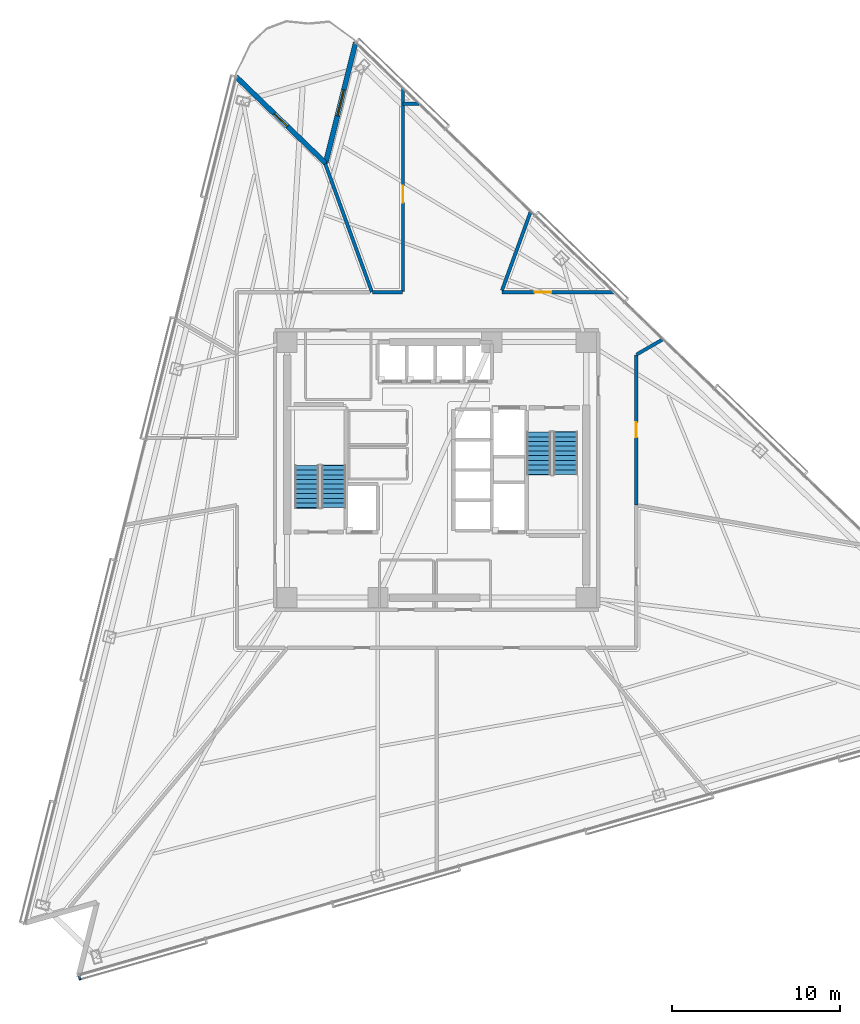
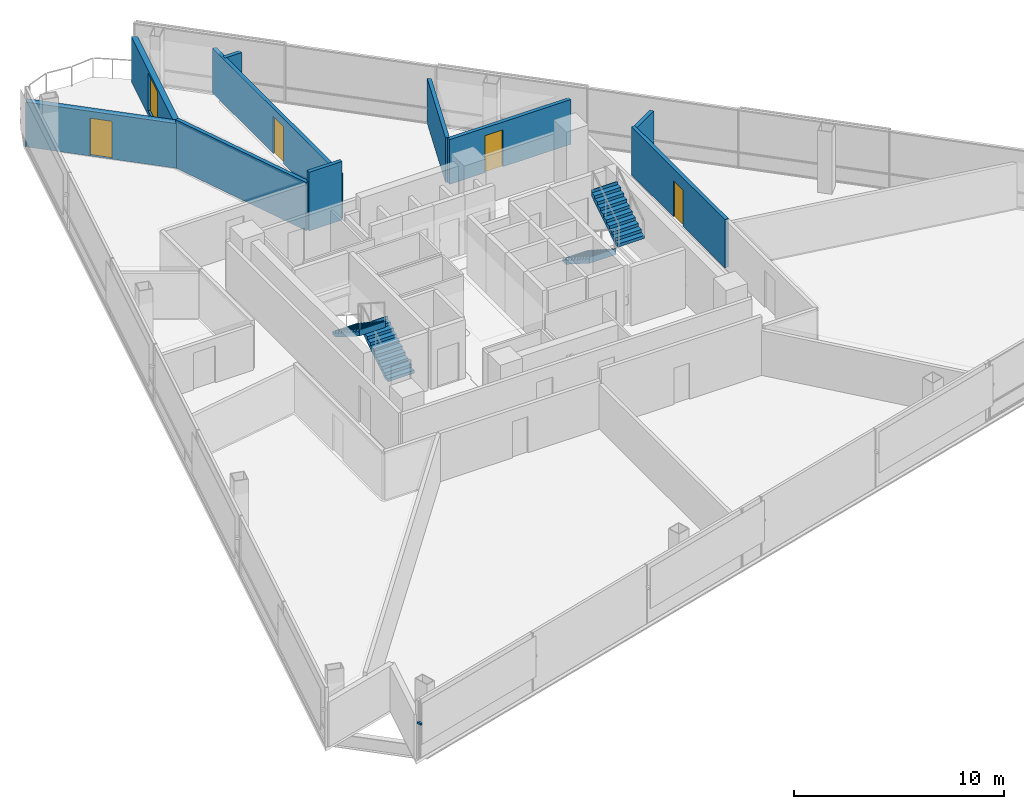
# One storey, part 11 of 19: 10 walls, 4 doors, 4 stair flights, 1 discrete accessory, 1 window, 5 openings, 2 elements without a shape of their own.
"""IFC4 building model written with IfcOpenShell, lengths in metres."""

from ifc_helpers import new_model, si_unit, direction, frame, frame_2d, origin, origin_2d, place, context, subcontext, project, spatial, polyline, rectangle, outline, extrude, material, layer, layer_set, type_object, element, fill, aggregate, save


model = new_model("IFC4")

# Units and contexts
model_context = context("Model", 3, precision=1e-05, world=origin(), true_north=direction((0.0, 1.0)))
body_context = subcontext(model_context, "Body", "Model", "MODEL_VIEW")
ifc_project = project(units=[si_unit("LENGTHUNIT", "METRE"), si_unit("AREAUNIT", "SQUARE_METRE"), si_unit("VOLUMEUNIT", "CUBIC_METRE"), si_unit("PLANEANGLEUNIT", "RADIAN"), si_unit("MASSUNIT", "GRAM", prefix="KILO")], contexts=[model_context])

# Site, building, storey
site_placement = place(None, origin())
site = spatial("IfcSite", under=ifc_project, at=site_placement, CompositionType="ELEMENT")
building_placement = place(site_placement, origin())
building = spatial("IfcBuilding", under=site, at=building_placement, Name="Tharavind Bronze Gate", CompositionType="ELEMENT")
storey_placement = place(building_placement, frame((0.0, 0.0, 89.699951171875)))
storey = spatial("IfcBuildingStorey", under=building, at=storey_placement, Name="L22", CompositionType="ELEMENT", Elevation=89.699951171875)

# Wall, opening, window
ifc_material_1 = material(Name="Concrete C40/50", Category="concrete")
ifc_layer_1 = layer(ifc_material_1, 0.300048828125)
ifc_layer_set_1 = layer_set([ifc_layer_1], Name="Concrete C40/50")
wall_type_1 = type_object("IfcWallType", Name="EXTERIOR SPANDREL WALL 300", PredefinedType="STANDARD", material=ifc_layer_set_1)
wall_1_placement = place(storey_placement, frame((-4.8203125, 25.433837890625, 0.0), z_axis=(0.0, 0.0, 1.0), x_axis=(-0.241930078207, -0.970293686086, 0.0)))
wall_1 = element("IfcWall", 1, at=wall_1_placement, inside=storey, type_object=wall_type_1, Name="L22 notch cheek wall 1A", PredefinedType="STANDARD", context=body_context, shape_type="SweptSolid", body=[
    extrude(rectangle(XDim=7.39990234375, YDim=0.300048828125, at=frame_2d((3.699951171875, 0.0))), origin(), (0.0, 0.0, 1.0), 2.60498046875),
])
opening_1_placement = place(wall_1_placement, frame((2.89990234375, 0.0, 0.25)))
opening_1 = element("IfcOpeningElement", 2, at=opening_1_placement, cuts=wall_1, Name="Opening W05", PredefinedType="OPENING", context=body_context, shape_type="SweptSolid", body=[
    extrude(rectangle(XDim=1.60009765625, YDim=2.199951171875, at=frame_2d((0.800048828125, 1.10009765625))), frame((0.0, 0.15990234375, 0.0), z_axis=(0.0, -1.0, 0.0), x_axis=(1.0, 0.0, 0.0)), (0.0, 0.0, 1.0), 0.320048828125),
])
ifc_material_2 = material(Name="Bronze Aluminium & Low-E Glass", Category="aluminium")
window_type = type_object("IfcWindowType", Name="OFFICE NOTCH BRONZE WINDOW 1600X2200", PartitioningType="DOUBLE_PANEL_VERTICAL", PredefinedType="WINDOW", material=ifc_material_2)
window_placement = place(opening_1_placement, origin())
window = element("IfcWindow", 3, at=window_placement, inside=storey, type_object=window_type, Name="L22 exterior window WL-L22-NCA1-01", OverallHeight=2.199951171875, OverallWidth=1.60009765625, PartitioningType="SINGLE_PANEL", PredefinedType="WINDOW", context=body_context, shape_type="SweptSolid", body=[
    extrude(rectangle(XDim=1.60009765625, YDim=2.199951171875, at=frame_2d((0.800048828125, 1.10009765625))), frame((0.0, 0.030029296875, 0.0), z_axis=(0.0, -1.0, 0.0), x_axis=(1.0, 0.0, 0.0)), (0.0, 0.0, 1.0), 0.06005859375),
])
fill(opening_1, window)

# Wall, opening, door
wall_2_placement = place(storey_placement, frame((-6.610595703125, 18.253662109375, 0.0), z_axis=(0.0, 0.0, 1.0), x_axis=(-0.719321869339, 0.694676938073, 0.0)))
wall_2 = element("IfcWall", 4, at=wall_2_placement, inside=storey, type_object=wall_type_1, Name="L22 notch cheek wall 1B", PredefinedType="STANDARD", context=body_context, shape_type="SweptSolid", body=[
    extrude(rectangle(XDim=7.39990234375, YDim=0.300048828125, at=frame_2d((3.699951171875, 0.0))), origin(), (0.0, 0.0, 1.0), 2.60498046875),
])
opening_2_placement = place(wall_2_placement, frame((3.14990234375, 0.0, 0.0)))
opening_2 = element("IfcOpeningElement", 5, at=opening_2_placement, cuts=wall_2, Name="Opening ED04", PredefinedType="OPENING", context=body_context, shape_type="SweptSolid", body=[
    extrude(rectangle(XDim=1.10009765625, YDim=2.199951171875, at=frame_2d((0.550048828125, 1.10009765625))), frame((0.0, 0.15990234375, 0.0), z_axis=(0.0, -1.0, 0.0), x_axis=(1.0, 0.0, 0.0)), (0.0, 0.0, 1.0), 0.320048828125),
])
ifc_material_3 = material(Name="Bronze Aluminium & Toughened Glass", Category="aluminium")
door_type_1 = type_object("IfcDoorType", Name="TREE BALCONY ACCESS DOOR 1100X2200", OperationType="SINGLE_SWING_LEFT", PredefinedType="DOOR", material=ifc_material_3)
door_1_placement = place(opening_2_placement, origin())
door_1 = element("IfcDoor", 6, at=door_1_placement, inside=storey, type_object=door_type_1, Name="L22 tree balcony access door", OperationType="SINGLE_SWING_LEFT", OverallHeight=2.199951171875, OverallWidth=1.10009765625, PredefinedType="DOOR", context=body_context, shape_type="SweptSolid", body=[
    extrude(rectangle(XDim=1.10009765625, YDim=2.199951171875, at=frame_2d((0.550048828125, 1.10009765625))), frame((0.0, 0.02490234375, 0.0), z_axis=(0.0, -1.0, 0.0), x_axis=(1.0, 0.0, 0.0)), (0.0, 0.0, 1.0), 0.050048828125),
])
fill(opening_2, door_1)

ifc_material_4 = material(Name="Aerated Concrete Block", Category="concrete")
ifc_layer_2 = layer(ifc_material_4, 0.199951171875)
ifc_layer_set_2 = layer_set([ifc_layer_2], Name="Aerated Concrete Block")
wall_type_2 = type_object("IfcWallType", Name="FIRE RATED PARTITION 200", PredefinedType="PARTITIONING", material=ifc_layer_set_2)
wall_3_placement = place(storey_placement, frame((10.561279296875, 10.580078125, 0.0), z_axis=(0.0, 0.0, 1.0), x_axis=(-1.0, 0.0, 0.0)))
wall_3 = element("IfcWall", 7, at=wall_3_placement, inside=storey, type_object=wall_type_2, Name="L22 Open Office partition", PredefinedType="PARTITIONING", context=body_context, shape_type="SweptSolid", body=[
    extrude(rectangle(XDim=6.6748046875, YDim=0.199951171875, at=frame_2d((3.33740234375, 0.0))), origin(), (0.0, 0.0, 1.0), 2.60498046875),
])
opening_3_placement = place(wall_3_placement, frame((3.737060546875, 0.0, 0.0)))
opening_3 = element("IfcOpeningElement", 8, at=opening_3_placement, cuts=wall_3, Name="Opening ID04", PredefinedType="OPENING", context=body_context, shape_type="SweptSolid", body=[
    extrude(rectangle(XDim=1.0, YDim=2.14990234375, at=frame_2d((0.5, 1.074951171875))), frame((0.0, 0.11009765625, 0.0), z_axis=(0.0, -1.0, 0.0), x_axis=(1.0, 0.0, 0.0)), (0.0, 0.0, 1.0), 0.219951171875),
])
ifc_material_5 = material(Name="Bronze Framed Acoustic Timber", Category="wood")
door_type_2 = type_object("IfcDoorType", Name="OFFICE TENANCY DOOR 1000X2150", OperationType="SINGLE_SWING_RIGHT", PredefinedType="DOOR", material=ifc_material_5)
door_2_placement = place(opening_3_placement, origin())
door_2 = element("IfcDoor", 9, at=door_2_placement, inside=storey, type_object=door_type_2, Name="L22 Open Office door", OperationType="SINGLE_SWING_RIGHT", OverallHeight=2.14990234375, OverallWidth=1.0, PredefinedType="DOOR", context=body_context, shape_type="SweptSolid", body=[
    extrude(rectangle(XDim=1.0, YDim=2.14990234375, at=frame_2d((0.5, 1.074951171875))), frame((0.0, 0.02490234375, 0.0), z_axis=(0.0, -1.0, 0.0), x_axis=(1.0, 0.0, 0.0)), (0.0, 0.0, 1.0), 0.050048828125),
])
fill(opening_3, door_2)

# Walls
wall_4_placement = place(storey_placement, frame((3.888916015625, 10.68505859375, 0.0), z_axis=(0.0, 0.0, 1.0), x_axis=(0.342025836352, 0.939690548674, 0.0)))
element("IfcWall", 10, at=wall_4_placement, inside=storey, type_object=wall_type_2, Name="L22 Open Office partition", PredefinedType="PARTITIONING", context=body_context, shape_type="SweptSolid", body=[
    extrude(rectangle(XDim=4.990966796875, YDim=0.199951171875, at=frame_2d((2.49560546875, 0.0))), origin(), (0.0, 0.0, 1.0), 2.60498046875),
])
wall_5_placement = place(storey_placement, frame((-1.057373046875, 21.800048828125, 0.0), z_axis=(0.0, 0.0, 1.0), x_axis=(-1.0, 0.0, 0.0)))
element("IfcWall", 11, at=wall_5_placement, inside=storey, type_object=wall_type_2, Name="L22 Partner Office partition", PredefinedType="PARTITIONING", context=body_context, shape_type="SweptSolid", body=[
    extrude(rectangle(XDim=0.942138671875, YDim=0.199951171875, at=frame_2d((0.47119140625, 0.0))), origin(), (0.0, 0.0, 1.0), 2.60498046875),
])

# Wall, opening, door
wall_6_placement = place(storey_placement, frame((-2.0, 22.710205078125, 0.0), z_axis=(0.0, 0.0, 1.0), x_axis=(0.0, -1.0, 0.0)))
wall_6 = element("IfcWall", 12, at=wall_6_placement, inside=storey, type_object=wall_type_2, Name="L22 Partner Office partition", PredefinedType="PARTITIONING", context=body_context, shape_type="SweptSolid", body=[
    extrude(rectangle(XDim=12.105224609375, YDim=0.199951171875, at=frame_2d((6.052734375, 0.0))), origin(), (0.0, 0.0, 1.0), 2.60498046875),
])
opening_4_placement = place(wall_6_placement, frame((5.798095703125, 0.0, 0.0)))
opening_4 = element("IfcOpeningElement", 13, at=opening_4_placement, cuts=wall_6, Name="Opening ID04", PredefinedType="OPENING", context=body_context, shape_type="SweptSolid", body=[
    extrude(rectangle(XDim=1.0, YDim=2.14990234375, at=frame_2d((0.5, 1.074951171875))), frame((0.0, 0.11009765625, 0.0), z_axis=(0.0, -1.0, 0.0), x_axis=(1.0, 0.0, 0.0)), (0.0, 0.0, 1.0), 0.219951171875),
])
door_3_placement = place(opening_4_placement, origin())
door_3 = element("IfcDoor", 14, at=door_3_placement, inside=storey, type_object=door_type_2, Name="L22 Partner Office door", OperationType="SINGLE_SWING_RIGHT", OverallHeight=2.14990234375, OverallWidth=1.0, PredefinedType="DOOR", context=body_context, shape_type="SweptSolid", body=[
    extrude(rectangle(XDim=1.0, YDim=2.14990234375, at=frame_2d((0.5, 1.074951171875))), frame((0.0, 0.02490234375, 0.0), z_axis=(0.0, -1.0, 0.0), x_axis=(1.0, 0.0, 0.0)), (0.0, 0.0, 1.0), 0.050048828125),
])
fill(opening_4, door_3)

# Walls
wall_7_placement = place(storey_placement, frame((-2.02490234375, 10.580078125, 0.0), z_axis=(0.0, 0.0, 1.0), x_axis=(-1.0, 0.0, 0.0)))
element("IfcWall", 15, at=wall_7_placement, inside=storey, type_object=wall_type_2, Name="L22 Partner Office partition", PredefinedType="PARTITIONING", context=body_context, shape_type="SweptSolid", body=[
    extrude(rectangle(XDim=1.808349609375, YDim=0.199951171875, at=frame_2d((0.904296875, 0.0))), origin(), (0.0, 0.0, 1.0), 3.41015625),
])
wall_8_placement = place(storey_placement, frame((-3.856689453125, 10.596435546875, 0.0), z_axis=(0.0, 0.0, 1.0), x_axis=(-0.342035074279, 0.939687186229, 0.0)))
element("IfcWall", 16, at=wall_8_placement, inside=storey, type_object=wall_type_2, Name="L22 Partner Office partition", PredefinedType="PARTITIONING", context=body_context, shape_type="SweptSolid", body=[
    extrude(rectangle(XDim=8.122314453125, YDim=0.199951171875, at=frame_2d((4.06103515625, 0.0))), origin(), (0.0, 0.0, 1.0), 2.804931640625),
])

# Wall, opening, door
wall_9_placement = place(storey_placement, frame((11.8798828125, -2.07373046875, 0.0), z_axis=(0.0, 0.0, 1.0), x_axis=(0.0, 1.0, 0.0)))
wall_9 = element("IfcWall", 17, at=wall_9_placement, inside=storey, type_object=wall_type_2, Name="L22 Tea Pantry partition", PredefinedType="PARTITIONING", context=body_context, shape_type="SweptSolid", body=[
    extrude(rectangle(XDim=8.918212890625, YDim=0.199951171875, at=frame_2d((4.458984375, 0.0))), origin(), (0.0, 0.0, 1.0), 2.804931640625),
])
opening_5_placement = place(wall_9_placement, frame((4.009033203125, 0.0, 0.0)))
opening_5 = element("IfcOpeningElement", 18, at=opening_5_placement, cuts=wall_9, Name="Opening ID07", PredefinedType="OPENING", context=body_context, shape_type="SweptSolid", body=[
    extrude(rectangle(XDim=0.89990234375, YDim=2.10009765625, at=frame_2d((0.449951171875, 1.050048828125))), frame((0.0, 0.11009765625, 0.0), z_axis=(0.0, -1.0, 0.0), x_axis=(1.0, 0.0, 0.0)), (0.0, 0.0, 1.0), 0.219951171875),
])
ifc_material_6 = material(Name="Galvanised Fire Steel", Category="steel")
door_type_3 = type_object("IfcDoorType", Name="PLANT AND RISER FIRE DOOR 900X2100", OperationType="SINGLE_SWING_LEFT", PredefinedType="DOOR", material=ifc_material_6)
door_4_placement = place(opening_5_placement, origin())
door_4 = element("IfcDoor", 19, at=door_4_placement, inside=storey, type_object=door_type_3, Name="L22 Tea Pantry door", OperationType="SINGLE_SWING_LEFT", OverallHeight=2.10009765625, OverallWidth=0.89990234375, PredefinedType="DOOR", context=body_context, shape_type="SweptSolid", body=[
    extrude(rectangle(XDim=0.89990234375, YDim=2.10009765625, at=frame_2d((0.449951171875, 1.050048828125))), frame((0.0, 0.02490234375, 0.0), z_axis=(0.0, -1.0, 0.0), x_axis=(1.0, 0.0, 0.0)), (0.0, 0.0, 1.0), 0.050048828125),
])
fill(opening_5, door_4)

# Wall
wall_10_placement = place(storey_placement, frame((11.892578125, 6.8662109375, 0.0), z_axis=(0.0, 0.0, 1.0), x_axis=(0.866020546064, 0.500008413725, 0.0)))
element("IfcWall", 20, at=wall_10_placement, inside=storey, type_object=wall_type_2, Name="L22 Tea Pantry partition", PredefinedType="PARTITIONING", context=body_context, shape_type="SweptSolid", body=[
    extrude(rectangle(XDim=1.79833984375, YDim=0.199951171875, at=frame_2d((0.899169921875, 0.0))), origin(), (0.0, 0.0, 1.0), 2.60498046875),
])

# Stair, stair flights
stair_type = type_object("IfcStairType", Name="CORE HALF TURN STAIR 1450", PredefinedType="HALF_TURN_STAIR", material=ifc_material_1)
stair_1_placement = place(storey_placement, origin())
stair_1 = element("IfcStair", 21, at=stair_1_placement, inside=storey, type_object=stair_type, Name="L22 Protected Exit Stair ST1", PredefinedType="HALF_TURN_STAIR")
stair_flight_type = type_object("IfcStairFlightType", Name="CORE STAIR FLIGHT 1450", PredefinedType="STRAIGHT", material=ifc_material_1)
stair_flight_1_placement = place(storey_placement, frame((-6.125, -2.25, 0.0), z_axis=(0.0, 0.0, 1.0), x_axis=(0.0, 1.0, 0.0)))
stair_flight_1 = element("IfcStairFlight", 22, at=stair_flight_1_placement, type_object=stair_flight_type, Name="ST1 flight 1", NumberOfRisers=10, NumberOfTreads=9, PredefinedType="STRAIGHT", RiserHeight=0.18, TreadLength=0.28, context=body_context, shape_type="SweptSolid", body=[
    extrude(outline(polyline([(0.0, 0.0), (0.0, 0.179931640625), (0.280029296875, 0.179931640625), (0.280029296875, 0.360107421875), (0.56005859375, 0.360107421875), (0.56005859375, 0.5400390625), (0.840087890625, 0.5400390625), (0.840087890625, 0.719970703125), (1.1201171875, 0.719970703125), (1.1201171875, 0.89990234375), (1.39990234375, 0.89990234375), (1.39990234375, 1.080078125), (1.679931640625, 1.080078125), (1.679931640625, 1.260009765625), (1.9599609375, 1.260009765625), (1.9599609375, 1.43994140625), (2.239990234375, 1.43994140625), (2.239990234375, 1.6201171875), (2.52001953125, 1.6201171875), (2.52001953125, 1.800048828125), (2.555908203125, 1.800048828125), (2.555908203125, 1.44189453125), (0.277099609375, 0.0), (0.0, 0.0)])), frame((0.0, 0.72509765625, 0.0), z_axis=(0.0, -1.0, 0.0), x_axis=(1.0, 0.0, 0.0)), (0.0, 0.0, 1.0), 1.449951171875),
])
stair_flight_2_placement = place(storey_placement, frame((-7.72509765625, 0.27001953125, 1.800048828125), z_axis=(0.0, 0.0, 1.0), x_axis=(0.0, -1.0, 0.0)))
stair_flight_2 = element("IfcStairFlight", 23, at=stair_flight_2_placement, type_object=stair_flight_type, Name="ST1 flight 2", NumberOfRisers=10, NumberOfTreads=9, PredefinedType="STRAIGHT", RiserHeight=0.18, TreadLength=0.28, context=body_context, shape_type="SweptSolid", body=[
    extrude(outline(polyline([(0.0, 0.0), (0.0, 0.179931640625), (0.280029296875, 0.179931640625), (0.280029296875, 0.360107421875), (0.56005859375, 0.360107421875), (0.56005859375, 0.5400390625), (0.840087890625, 0.5400390625), (0.840087890625, 0.719970703125), (1.1201171875, 0.719970703125), (1.1201171875, 0.89990234375), (1.39990234375, 0.89990234375), (1.39990234375, 1.080078125), (1.679931640625, 1.080078125), (1.679931640625, 1.260009765625), (1.9599609375, 1.260009765625), (1.9599609375, 1.43994140625), (2.239990234375, 1.43994140625), (2.239990234375, 1.6201171875), (2.52001953125, 1.6201171875), (2.52001953125, 1.800048828125), (2.555908203125, 1.800048828125), (2.555908203125, 1.44189453125), (0.277099609375, 0.0), (0.0, 0.0)])), frame((0.0, 0.72509765625, 0.0), z_axis=(0.0, -1.0, 0.0), x_axis=(1.0, 0.0, 0.0)), (0.0, 0.0, 1.0), 1.449951171875),
])
aggregate(stair_1, [stair_flight_1, stair_flight_2])

stair_2_placement = place(storey_placement, origin())
stair_2 = element("IfcStair", 24, at=stair_2_placement, inside=storey, type_object=stair_type, Name="L22 Protected Exit Stair ST2", PredefinedType="HALF_TURN_STAIR")
stair_flight_3_placement = place(storey_placement, frame((6.074951171875, 2.25, 0.0), z_axis=(0.0, 0.0, 1.0), x_axis=(0.0, -1.0, 0.0)))
stair_flight_3 = element("IfcStairFlight", 25, at=stair_flight_3_placement, type_object=stair_flight_type, Name="ST2 flight 1", NumberOfRisers=10, NumberOfTreads=9, PredefinedType="STRAIGHT", RiserHeight=0.18, TreadLength=0.28, context=body_context, shape_type="SweptSolid", body=[
    extrude(outline(polyline([(0.0, 0.0), (0.0, 0.179931640625), (0.280029296875, 0.179931640625), (0.280029296875, 0.360107421875), (0.56005859375, 0.360107421875), (0.56005859375, 0.5400390625), (0.840087890625, 0.5400390625), (0.840087890625, 0.719970703125), (1.1201171875, 0.719970703125), (1.1201171875, 0.89990234375), (1.39990234375, 0.89990234375), (1.39990234375, 1.080078125), (1.679931640625, 1.080078125), (1.679931640625, 1.260009765625), (1.9599609375, 1.260009765625), (1.9599609375, 1.43994140625), (2.239990234375, 1.43994140625), (2.239990234375, 1.6201171875), (2.52001953125, 1.6201171875), (2.52001953125, 1.800048828125), (2.555908203125, 1.800048828125), (2.555908203125, 1.44189453125), (0.277099609375, 0.0), (0.0, 0.0)])), frame((0.0, 0.72509765625, 0.0), z_axis=(0.0, -1.0, 0.0), x_axis=(1.0, 0.0, 0.0)), (0.0, 0.0, 1.0), 1.449951171875),
])
stair_flight_4_placement = place(storey_placement, frame((7.675048828125, -0.27001953125, 1.800048828125), z_axis=(0.0, 0.0, 1.0), x_axis=(0.0, 1.0, 0.0)))
stair_flight_4 = element("IfcStairFlight", 26, at=stair_flight_4_placement, type_object=stair_flight_type, Name="ST2 flight 2", NumberOfRisers=10, NumberOfTreads=9, PredefinedType="STRAIGHT", RiserHeight=0.18, TreadLength=0.28, context=body_context, shape_type="SweptSolid", body=[
    extrude(outline(polyline([(0.0, 0.0), (0.0, 0.179931640625), (0.280029296875, 0.179931640625), (0.280029296875, 0.360107421875), (0.56005859375, 0.360107421875), (0.56005859375, 0.5400390625), (0.840087890625, 0.5400390625), (0.840087890625, 0.719970703125), (1.1201171875, 0.719970703125), (1.1201171875, 0.89990234375), (1.39990234375, 0.89990234375), (1.39990234375, 1.080078125), (1.679931640625, 1.080078125), (1.679931640625, 1.260009765625), (1.9599609375, 1.260009765625), (1.9599609375, 1.43994140625), (2.239990234375, 1.43994140625), (2.239990234375, 1.6201171875), (2.52001953125, 1.6201171875), (2.52001953125, 1.800048828125), (2.555908203125, 1.800048828125), (2.555908203125, 1.44189453125), (0.277099609375, 0.0), (0.0, 0.0)])), frame((0.0, 0.72509765625, 0.0), z_axis=(0.0, -1.0, 0.0), x_axis=(1.0, 0.0, 0.0)), (0.0, 0.0, 1.0), 1.449951171875),
])
aggregate(stair_2, [stair_flight_3, stair_flight_4])

# Discrete accessory
ifc_material_7 = material(Name="Stainless Steel 316", Category="steel")
discrete_accessory_type = type_object("IfcDiscreteAccessoryType", Name="SOLAR SCREEN STANDOFF BRACKET", PredefinedType="BRACKET", material=ifc_material_7)
discrete_accessory_placement = place(storey_placement, frame((-21.245849609375, -30.220703125, 2.094970703125), z_axis=(0.0, 0.0, 1.0), x_axis=(0.961261695938, 0.275637355817, 0.0)))
element("IfcDiscreteAccessory", 27, at=discrete_accessory_placement, inside=storey, type_object=discrete_accessory_type, Name="CW-L22-S2 solar screen bracket 1.1", PredefinedType="BRACKET", context=body_context, shape_type="SweptSolid", body=[
    extrude(rectangle(XDim=0.1201171875, YDim=0.239990234375, at=origin_2d()), origin(), (0.0, 0.0, 1.0), 0.1201171875),
])

save(model, "model.ifc")
